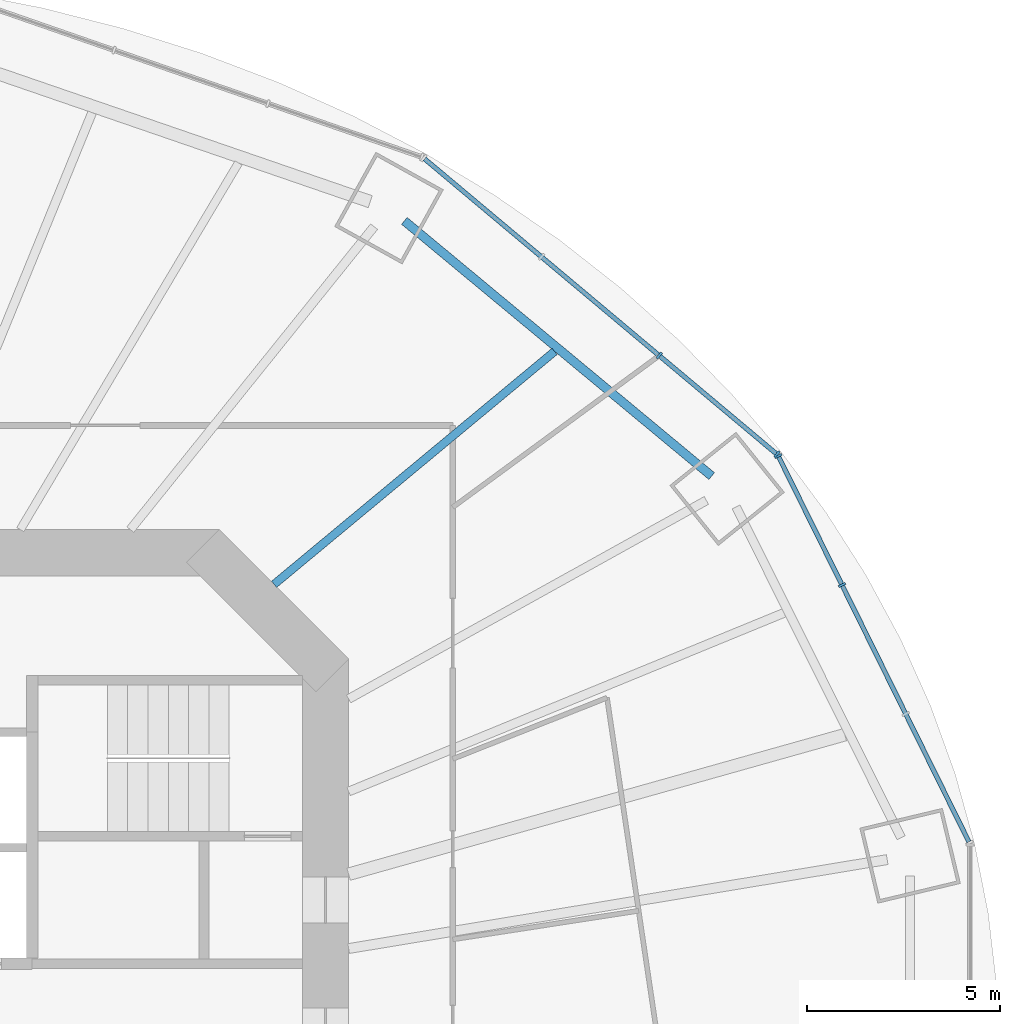
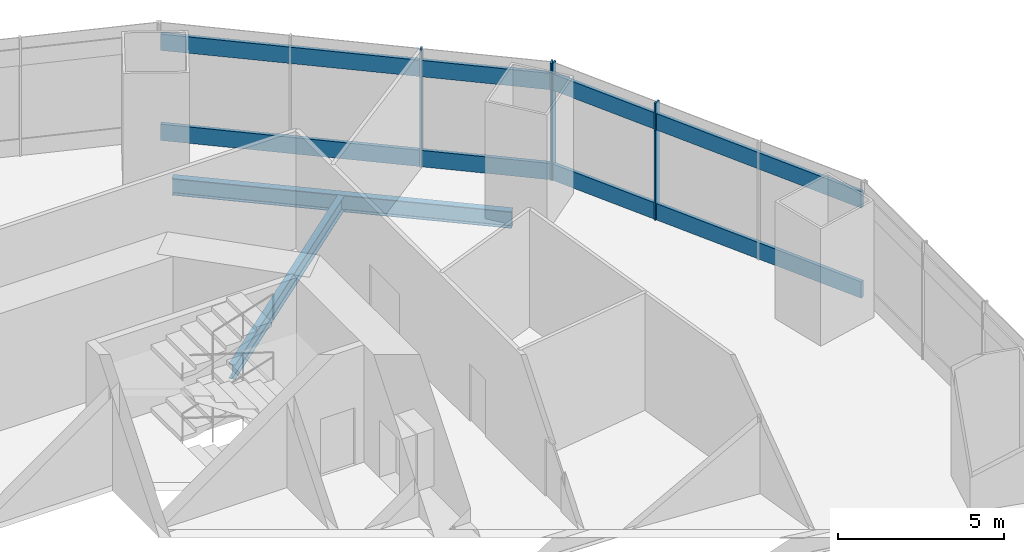
# One storey, part 8 of 17: 12 members, 2 beams, 4 elements without a shape of their own.
"""IFC4 building model written with IfcOpenShell, lengths in metres."""

from ifc_helpers import new_model, si_unit, direction, frame, origin, origin_2d, place, context, subcontext, project, spatial, rectangle, i_section, extrude, material, material_profile, profile_set, type_object, element, aggregate, save


model = new_model("IFC4")

# Units and contexts
model_context = context("Model", 3, precision=1e-05, world=origin(), true_north=direction((0.0, 1.0)))
body_context = subcontext(model_context, "Body", "Model", "MODEL_VIEW")
ifc_project = project(units=[si_unit("LENGTHUNIT", "METRE"), si_unit("AREAUNIT", "SQUARE_METRE"), si_unit("VOLUMEUNIT", "CUBIC_METRE"), si_unit("PLANEANGLEUNIT", "RADIAN"), si_unit("MASSUNIT", "GRAM", prefix="KILO")], contexts=[model_context])

# Site, building, storey
site_placement = place(None, origin())
site = spatial("IfcSite", under=ifc_project, at=site_placement, CompositionType="ELEMENT")
building_placement = place(site_placement, origin())
building = spatial("IfcBuilding", under=site, at=building_placement, Name="Marenthal Gate Tower", CompositionType="ELEMENT")
storey_placement = place(building_placement, frame((0.0, 0.0, 145.050048828125)))
storey = spatial("IfcBuildingStorey", under=building, at=storey_placement, Name="L31", CompositionType="ELEMENT", Elevation=145.050048828125)

# Curtain wall, members
ifc_material_1 = material(Name="Aluminium and glass", Category="aluminium")
curtain_wall_type_1 = type_object("IfcCurtainWallType", Name="Curtain wall amenity", PredefinedType="NOTDEFINED", material=ifc_material_1)
curtain_wall_1_placement = place(storey_placement, origin())
curtain_wall_1 = element("IfcCurtainWall", 1, at=curtain_wall_1_placement, inside=storey, type_object=curtain_wall_type_1, Name="Curtain wall L31 bay 1", PredefinedType="NOTDEFINED")
ifc_material_2 = material(Name="Aluminium", Category="aluminium")
ifc_material_profile_1 = material_profile(ifc_material_2, rectangle(XDim=0.199951171875, YDim=0.06005859375, at=origin_2d()), Name="60x200 aluminium mullion")
ifc_profile_set_1 = profile_set([ifc_material_profile_1], Name="Aluminium")
member_type_1 = type_object("IfcMemberType", Name="Mullion 60x200 amenity", PredefinedType="MULLION", material=ifc_profile_set_1)
member_1_placement = place(storey_placement, frame((29.38671875, 12.163818359375, 0.0), z_axis=(0.0, 0.0, 1.0), x_axis=(-0.896573265484, -0.442895449987, 0.0)))
member_1 = element("IfcMember", 2, at=member_1_placement, type_object=member_type_1, Name="Mullion L31 bay 1.3", PredefinedType="MULLION", context=body_context, shape_type="SweptSolid", body=[
    extrude(rectangle(XDim=0.199951171875, YDim=0.06005859375, at=origin_2d()), origin(), (0.0, 0.0, 1.0), 3.300048828125),
])
member_2_placement = place(storey_placement, frame((27.736083984375, 15.505126953125, 0.0), z_axis=(0.0, 0.0, 1.0), x_axis=(-0.896573265484, -0.442895449987, 0.0)))
member_2 = element("IfcMember", 3, at=member_2_placement, type_object=member_type_1, Name="Mullion L31 bay 1.4", PredefinedType="MULLION", context=body_context, shape_type="SweptSolid", body=[
    extrude(rectangle(XDim=0.199951171875, YDim=0.06005859375, at=origin_2d()), origin(), (0.0, 0.0, 1.0), 3.300048828125),
])

curtain_wall_2_placement = place(storey_placement, origin())
curtain_wall_2 = element("IfcCurtainWall", 4, at=curtain_wall_2_placement, inside=storey, type_object=curtain_wall_type_1, Name="Curtain wall L31 bay 2", PredefinedType="NOTDEFINED")
member_3_placement = place(storey_placement, frame((27.699951171875, 15.55126953125, 0.0), z_axis=(0.0, 0.0, 1.0), x_axis=(-0.642510826857, -0.766276606305, 0.0)))
member_3 = element("IfcMember", 5, at=member_3_placement, type_object=member_type_1, Name="Mullion L31 bay 2.1", PredefinedType="MULLION", context=body_context, shape_type="SweptSolid", body=[
    extrude(rectangle(XDim=0.199951171875, YDim=0.06005859375, at=origin_2d()), origin(), (0.0, 0.0, 1.0), 3.300048828125),
])
member_4_placement = place(storey_placement, frame((24.64892578125, 18.109619140625, 0.0), z_axis=(0.0, 0.0, 1.0), x_axis=(-0.642510826857, -0.766276606305, 0.0)))
member_4 = element("IfcMember", 6, at=member_4_placement, type_object=member_type_1, Name="Mullion L31 bay 2.2", PredefinedType="MULLION", context=body_context, shape_type="SweptSolid", body=[
    extrude(rectangle(XDim=0.199951171875, YDim=0.06005859375, at=origin_2d()), origin(), (0.0, 0.0, 1.0), 3.300048828125),
])

ifc_material_3 = material(Name="Aluminium and glass", Category="aluminium")
curtain_wall_type_2 = type_object("IfcCurtainWallType", Name="Curtain wall crown clad", PredefinedType="NOTDEFINED", material=ifc_material_3)
curtain_wall_3_placement = place(storey_placement, origin())
curtain_wall_3 = element("IfcCurtainWall", 7, at=curtain_wall_3_placement, inside=storey, type_object=curtain_wall_type_2, Name="Curtain wall L31 bay 1 head band", PredefinedType="NOTDEFINED")
ifc_material_4 = material(Name="Aluminium", Category="aluminium")
ifc_material_profile_2 = material_profile(ifc_material_4, rectangle(XDim=0.199951171875, YDim=0.06005859375, at=origin_2d()), Name="60x200 aluminium mullion")
ifc_profile_set_2 = profile_set([ifc_material_profile_2], Name="Aluminium")
member_type_2 = type_object("IfcMemberType", Name="Mullion 60x200 crown clad", PredefinedType="MULLION", material=ifc_profile_set_2)
member_5_placement = place(storey_placement, frame((29.38671875, 12.163818359375, 3.300048828125), z_axis=(0.0, 0.0, 1.0), x_axis=(-0.896573265484, -0.442895449987, 0.0)))
member_5 = element("IfcMember", 8, at=member_5_placement, type_object=member_type_2, Name="Mullion L31 bay 1.3", PredefinedType="MULLION", context=body_context, shape_type="SweptSolid", body=[
    extrude(rectangle(XDim=0.199951171875, YDim=0.06005859375, at=origin_2d()), origin(), (0.0, 0.0, 1.0), 1.0),
])
member_6_placement = place(storey_placement, frame((27.736083984375, 15.505126953125, 3.300048828125), z_axis=(0.0, 0.0, 1.0), x_axis=(-0.896573265484, -0.442895449987, 0.0)))
member_6 = element("IfcMember", 9, at=member_6_placement, type_object=member_type_2, Name="Mullion L31 bay 1.4", PredefinedType="MULLION", context=body_context, shape_type="SweptSolid", body=[
    extrude(rectangle(XDim=0.199951171875, YDim=0.06005859375, at=origin_2d()), origin(), (0.0, 0.0, 1.0), 1.0),
])

curtain_wall_4_placement = place(storey_placement, origin())
curtain_wall_4 = element("IfcCurtainWall", 10, at=curtain_wall_4_placement, inside=storey, type_object=curtain_wall_type_2, Name="Curtain wall L31 bay 2 head band", PredefinedType="NOTDEFINED")
member_7_placement = place(storey_placement, frame((27.699951171875, 15.55126953125, 3.300048828125), z_axis=(0.0, 0.0, 1.0), x_axis=(-0.642510826857, -0.766276606305, 0.0)))
member_7 = element("IfcMember", 11, at=member_7_placement, type_object=member_type_2, Name="Mullion L31 bay 2.1", PredefinedType="MULLION", context=body_context, shape_type="SweptSolid", body=[
    extrude(rectangle(XDim=0.199951171875, YDim=0.06005859375, at=origin_2d()), origin(), (0.0, 0.0, 1.0), 1.0),
])
member_8_placement = place(storey_placement, frame((24.64892578125, 18.109619140625, 3.300048828125), z_axis=(0.0, 0.0, 1.0), x_axis=(-0.642510826857, -0.766276606305, 0.0)))
member_8 = element("IfcMember", 12, at=member_8_placement, type_object=member_type_2, Name="Mullion L31 bay 2.2", PredefinedType="MULLION", context=body_context, shape_type="SweptSolid", body=[
    extrude(rectangle(XDim=0.199951171875, YDim=0.06005859375, at=origin_2d()), origin(), (0.0, 0.0, 1.0), 1.0),
])

# Member
ifc_material_5 = material(Name="Aluminium", Category="aluminium")
ifc_material_profile_3 = material_profile(ifc_material_5, rectangle(XDim=0.1201171875, YDim=0.60009765625, at=origin_2d()), Name="120x600 aluminium transom")
ifc_profile_set_3 = profile_set([ifc_material_profile_3], Name="Aluminium")
member_type_3 = type_object("IfcMemberType", Name="Transom 120x600 amenity", PredefinedType="USERDEFINED", material=ifc_profile_set_3)
member_9_placement = place(storey_placement, frame((32.6748046875, 5.5078125, 0.300048828125), z_axis=(-0.442896665934, 0.896572664821, 0.0), x_axis=(-0.896572664821, -0.442896665934, 0.0)))
member_9 = element("IfcMember", 13, at=member_9_placement, type_object=member_type_3, Name="Transom L31 bay 1", ObjectType="TRANSOM", PredefinedType="USERDEFINED", context=body_context, shape_type="SweptSolid", body=[
    extrude(rectangle(XDim=0.1201171875, YDim=0.60009765625, at=origin_2d()), origin(), (0.0, 0.0, 1.0), 11.12060546875),
])

aggregate(curtain_wall_1, [member_1, member_2, member_9])

member_10_placement = place(storey_placement, frame((27.677001953125, 15.570556640625, 0.300048828125), z_axis=(-0.76627636454, 0.642511115194, 0.0), x_axis=(-0.642511115194, -0.76627636454, 0.0)))
member_10 = element("IfcMember", 14, at=member_10_placement, type_object=member_type_3, Name="Transom L31 bay 2", ObjectType="TRANSOM", PredefinedType="USERDEFINED", context=body_context, shape_type="SweptSolid", body=[
    extrude(rectangle(XDim=0.1201171875, YDim=0.60009765625, at=origin_2d()), origin(), (0.0, 0.0, 1.0), 11.885009765625),
])

aggregate(curtain_wall_2, [member_3, member_4, member_10])

ifc_material_6 = material(Name="Aluminium", Category="aluminium")
ifc_material_profile_4 = material_profile(ifc_material_6, rectangle(XDim=0.1201171875, YDim=0.60009765625, at=origin_2d()), Name="120x600 aluminium transom")
ifc_profile_set_4 = profile_set([ifc_material_profile_4], Name="Aluminium")
member_type_4 = type_object("IfcMemberType", Name="Transom 120x600 crown clad", PredefinedType="USERDEFINED", material=ifc_profile_set_4)
member_11_placement = place(storey_placement, frame((32.6748046875, 5.5078125, 3.599853515625), z_axis=(-0.442896665934, 0.896572664821, 0.0), x_axis=(-0.896572664821, -0.442896665934, 0.0)))
member_11 = element("IfcMember", 15, at=member_11_placement, type_object=member_type_4, Name="Transom L31 bay 1", ObjectType="TRANSOM", PredefinedType="USERDEFINED", context=body_context, shape_type="SweptSolid", body=[
    extrude(rectangle(XDim=0.1201171875, YDim=0.60009765625, at=origin_2d()), origin(), (0.0, 0.0, 1.0), 11.12060546875),
])

aggregate(curtain_wall_3, [member_5, member_6, member_11])

member_12_placement = place(storey_placement, frame((27.677001953125, 15.570556640625, 3.599853515625), z_axis=(-0.76627636454, 0.642511115194, 0.0), x_axis=(-0.642511115194, -0.76627636454, 0.0)))
member_12 = element("IfcMember", 16, at=member_12_placement, type_object=member_type_4, Name="Transom L31 bay 2", ObjectType="TRANSOM", PredefinedType="USERDEFINED", context=body_context, shape_type="SweptSolid", body=[
    extrude(rectangle(XDim=0.1201171875, YDim=0.60009765625, at=origin_2d()), origin(), (0.0, 0.0, 1.0), 11.885009765625),
])

aggregate(curtain_wall_4, [member_7, member_8, member_12])

# Beams
ifc_material_7 = material(Name="Steel S355", Category="steel")
ifc_material_profile_5 = material_profile(ifc_material_7, i_section(OverallWidth=0.2099609375, OverallDepth=0.535888671875, WebThickness=0.010986328125, FlangeThickness=0.017333984375, FilletRadius=0.0126953125, at=origin_2d()), Name="W530X101")
ifc_profile_set_5 = profile_set([ifc_material_profile_5], Name="Steel S355")
beam_type_1 = type_object("IfcBeamType", Name="W530X101 beam", PredefinedType="BEAM", material=ifc_profile_set_5)
beam_1_placement = place(storey_placement, frame((21.93798828125, 18.218505859375, -0.468017578125), z_axis=(-0.769321242726, -0.638862133399, 0.0), x_axis=(0.638862133399, -0.769321242726, 0.0)))
element("IfcBeam", 17, at=beam_1_placement, inside=storey, type_object=beam_type_1, Name="BM-L31-19", PredefinedType="BEAM", context=body_context, shape_type="SweptSolid", body=[
    extrude(i_section(OverallWidth=0.2099609375, OverallDepth=0.535888671875, WebThickness=0.010986328125, FlangeThickness=0.017333984375, FilletRadius=0.0126953125, at=origin_2d()), origin(), (0.0, 0.0, 1.0), 9.450439453125),
])
ifc_material_8 = material(Name="Steel S355", Category="steel")
ifc_material_profile_6 = material_profile(ifc_material_8, i_section(OverallWidth=0.22900390625, OverallDepth=0.612060546875, WebThickness=0.011962890625, FlangeThickness=0.01953125, FilletRadius=0.0126953125, at=origin_2d()), Name="W610X125")
ifc_profile_set_6 = profile_set([ifc_material_profile_6], Name="Steel S355")
beam_type_2 = type_object("IfcBeamType", Name="W610X125 beam", PredefinedType="BEAM", material=ifc_profile_set_6)
beam_2_placement = place(storey_placement, frame((26.0087890625, 14.98681640625, -0.506103515625), z_axis=(-0.769308410826, 0.638877585326, 0.0), x_axis=(-0.638877585326, -0.769308410826, 0.0)))
element("IfcBeam", 18, at=beam_2_placement, inside=storey, type_object=beam_type_2, Name="BM-L31-42", PredefinedType="BEAM", context=body_context, shape_type="SweptSolid", body=[
    extrude(i_section(OverallWidth=0.22900390625, OverallDepth=0.612060546875, WebThickness=0.011962890625, FlangeThickness=0.01953125, FilletRadius=0.0126953125, at=origin_2d()), origin(), (0.0, 0.0, 1.0), 10.35302734375),
])

save(model, "model.ifc")
